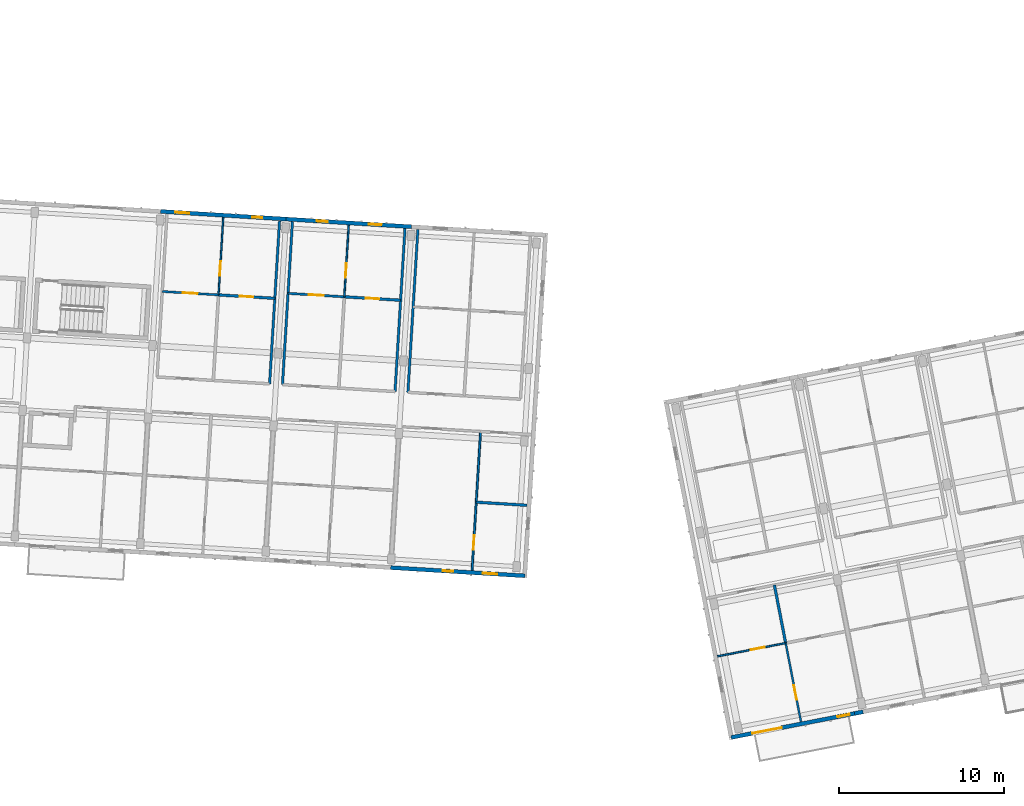
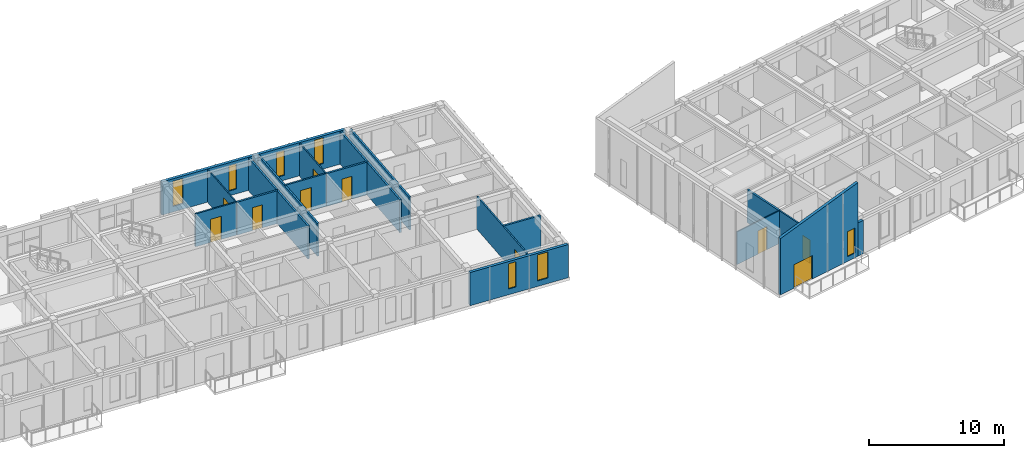
# One storey, part 26 of 65: 20 walls, 10 doors, 7 windows, 17 openings.
"""IFC4 building model written with IfcOpenShell, lengths in metres."""

from ifc_helpers import new_model, si_unit, direction, frame, frame_2d, origin, place, context, subcontext, project, spatial, polyline, rectangle, outline, extrude, material, layer, layer_set, type_object, element, fill, save


model = new_model("IFC4")

# Units and contexts
model_context = context("Model", 3, precision=1e-05, world=origin(), true_north=direction((0.0, 1.0)))
body_context = subcontext(model_context, "Body", "Model", "MODEL_VIEW")
ifc_project = project(units=[si_unit("LENGTHUNIT", "METRE"), si_unit("AREAUNIT", "SQUARE_METRE"), si_unit("VOLUMEUNIT", "CUBIC_METRE"), si_unit("PLANEANGLEUNIT", "RADIAN"), si_unit("MASSUNIT", "GRAM", prefix="KILO")], contexts=[model_context])

# Site, building, storey
site_placement = place(None, origin())
site = spatial("IfcSite", under=ifc_project, at=site_placement, CompositionType="ELEMENT")
building_placement = place(site_placement, origin())
building = spatial("IfcBuilding", under=site, at=building_placement, Name="Kestramere Prow Commons", CompositionType="ELEMENT")
storey_placement = place(building_placement, frame((0.0, 0.0, 21.39990234375)))
storey = spatial("IfcBuildingStorey", under=building, at=storey_placement, Name="L06", CompositionType="ELEMENT", Elevation=21.39990234375)

# Wall, openings, windows
ifc_material_1 = material(Name="Fluoropolymer Standing-Seam Zinc-Aluminium Cladding", Category="aluminium")
ifc_layer_1 = layer(ifc_material_1, 0.239990234375)
ifc_layer_set_1 = layer_set([ifc_layer_1], Name="Fluoropolymer Standing-Seam Zinc-Aluminium Cladding")
wall_type_1 = type_object("IfcWallType", Name="EW-SEAM-240", PredefinedType="SOLIDWALL", material=ifc_layer_set_1)
wall_1_placement = place(storey_placement, frame((105.5068359375, 43.16015625, 0.0), z_axis=(0.0, 0.0, 1.0), x_axis=(-0.998134248939, 0.061057522844, 0.0)))
wall_1 = element("IfcWall", 1, at=wall_1_placement, inside=storey, type_object=wall_type_1, Name="Block C L06 South Standing-Seam Wall 6", PredefinedType="SOLIDWALL", context=body_context, shape_type="SweptSolid", body=[
    extrude(rectangle(XDim=8.125, YDim=0.239990234375, at=frame_2d((4.0625, 0.0))), origin(), (0.0, 0.0, 1.0), 3.0),
])
opening_1_placement = place(wall_1_placement, frame((1.681884765625, 0.0, 0.5)))
opening_1 = element("IfcOpeningElement", 2, at=opening_1_placement, cuts=wall_1, Name="Opening WN-15", PredefinedType="OPENING", context=body_context, shape_type="SweptSolid", body=[
    extrude(rectangle(XDim=0.860107421875, YDim=2.360107421875, at=frame_2d((0.43017578125, 1.18017578125))), frame((0.0, 0.135009765625, 0.0), z_axis=(0.0, -1.0, 0.0), x_axis=(1.0, 0.0, 0.0)), (0.0, 0.0, 1.0), 0.27001953125),
])
opening_2_placement = place(wall_1_placement, frame((4.347412109375, 0.0, 0.52001953125)))
opening_2 = element("IfcOpeningElement", 3, at=opening_2_placement, cuts=wall_1, Name="Opening WN-03", PredefinedType="OPENING", context=body_context, shape_type="SweptSolid", body=[
    extrude(rectangle(XDim=0.6201171875, YDim=2.280029296875, at=frame_2d((0.31005859375, 1.14013671875))), frame((0.0, 0.135009765625, 0.0), z_axis=(0.0, -1.0, 0.0), x_axis=(1.0, 0.0, 0.0)), (0.0, 0.0, 1.0), 0.27001953125),
])
ifc_material_2 = material(Name="Low-E Laminated Double Glazing", Category="glass")
window_type_1 = type_object("IfcWindowType", Name="WN-NAR-620A", PartitioningType="SINGLE_PANEL", PredefinedType="WINDOW", material=ifc_material_2)
window_1_placement = place(opening_2_placement, origin())
window_1 = element("IfcWindow", 4, at=window_1_placement, inside=storey, type_object=window_type_1, Name="WN-C-L06-S-5-10", OverallHeight=2.280029296875, OverallWidth=0.6201171875, PartitioningType="SINGLE_PANEL", PredefinedType="WINDOW", context=body_context, shape_type="SweptSolid", body=[
    extrude(rectangle(XDim=0.6201171875, YDim=2.280029296875, at=frame_2d((0.31005859375, 1.14013671875))), frame((0.0, 0.030029296875, 0.0), z_axis=(0.0, -1.0, 0.0), x_axis=(1.0, 0.0, 0.0)), (0.0, 0.0, 1.0), 0.06005859375),
])
fill(opening_2, window_1)
window_type_2 = type_object("IfcWindowType", Name="WN-NAR-860A", PartitioningType="DOUBLE_PANEL_VERTICAL", PredefinedType="WINDOW", material=ifc_material_2)
window_2_placement = place(opening_1_placement, origin())
window_2 = element("IfcWindow", 5, at=window_2_placement, inside=storey, type_object=window_type_2, Name="WN-C-L06-S-5-00", OverallHeight=2.360107421875, OverallWidth=0.860107421875, PartitioningType="SINGLE_PANEL", PredefinedType="WINDOW", context=body_context, shape_type="SweptSolid", body=[
    extrude(rectangle(XDim=0.860107421875, YDim=2.360107421875, at=frame_2d((0.43017578125, 1.18017578125))), frame((0.0, 0.030029296875, 0.0), z_axis=(0.0, -1.0, 0.0), x_axis=(1.0, 0.0, 0.0)), (0.0, 0.0, 1.0), 0.06005859375),
])
fill(opening_1, window_2)

wall_2_placement = place(storey_placement, frame((83.486083984375, 65.195556640625, 0.0), z_axis=(0.0, 0.0, 1.0), x_axis=(0.998135669243, -0.061034300063, 0.0)))
wall_2 = element("IfcWall", 6, at=wall_2_placement, inside=storey, type_object=wall_type_1, Name="Block C L06 North Standing-Seam Wall 4", PredefinedType="SOLIDWALL", context=body_context, shape_type="SweptSolid", body=[
    extrude(rectangle(XDim=7.60009765625, YDim=0.239990234375, at=frame_2d((3.800048828125, 0.0))), origin(), (0.0, 0.0, 1.0), 3.0),
])
opening_3_placement = place(wall_2_placement, frame((0.8896484375, 0.0, 0.5)))
opening_3 = element("IfcOpeningElement", 7, at=opening_3_placement, cuts=wall_2, Name="Opening WN-14", PredefinedType="OPENING", context=body_context, shape_type="SweptSolid", body=[
    extrude(rectangle(XDim=0.840087890625, YDim=2.280029296875, at=frame_2d((0.419921875, 1.14013671875))), frame((0.0, 0.135009765625, 0.0), z_axis=(0.0, -1.0, 0.0), x_axis=(1.0, 0.0, 0.0)), (0.0, 0.0, 1.0), 0.27001953125),
])
opening_4_placement = place(wall_2_placement, frame((5.5458984375, 0.0, 0.43994140625)))
opening_4 = element("IfcOpeningElement", 8, at=opening_4_placement, cuts=wall_2, Name="Opening WN-03", PredefinedType="OPENING", context=body_context, shape_type="SweptSolid", body=[
    extrude(rectangle(XDim=0.6201171875, YDim=2.280029296875, at=frame_2d((0.31005859375, 1.14013671875))), frame((0.0, 0.135009765625, 0.0), z_axis=(0.0, -1.0, 0.0), x_axis=(1.0, 0.0, 0.0)), (0.0, 0.0, 1.0), 0.27001953125),
])
window_3_placement = place(opening_4_placement, origin())
window_3 = element("IfcWindow", 9, at=window_3_placement, inside=storey, type_object=window_type_1, Name="WN-C-L06-N-3-1", OverallHeight=2.280029296875, OverallWidth=0.6201171875, PartitioningType="SINGLE_PANEL", PredefinedType="WINDOW", context=body_context, shape_type="SweptSolid", body=[
    extrude(rectangle(XDim=0.6201171875, YDim=2.280029296875, at=frame_2d((0.31005859375, 1.14013671875))), frame((0.0, 0.030029296875, 0.0), z_axis=(0.0, -1.0, 0.0), x_axis=(1.0, 0.0, 0.0)), (0.0, 0.0, 1.0), 0.06005859375),
])
fill(opening_4, window_3)
window_type_3 = type_object("IfcWindowType", Name="WN-NAR-840A", PartitioningType="DOUBLE_PANEL_VERTICAL", PredefinedType="WINDOW", material=ifc_material_2)
window_4_placement = place(opening_3_placement, origin())
window_4 = element("IfcWindow", 10, at=window_4_placement, inside=storey, type_object=window_type_3, Name="WN-C-L06-N-3-0", OverallHeight=2.280029296875, OverallWidth=0.840087890625, PartitioningType="SINGLE_PANEL", PredefinedType="WINDOW", context=body_context, shape_type="SweptSolid", body=[
    extrude(rectangle(XDim=0.840087890625, YDim=2.280029296875, at=frame_2d((0.419921875, 1.14013671875))), frame((0.0, 0.030029296875, 0.0), z_axis=(0.0, -1.0, 0.0), x_axis=(1.0, 0.0, 0.0)), (0.0, 0.0, 1.0), 0.06005859375),
])
fill(opening_3, window_4)

wall_3_placement = place(storey_placement, frame((91.072021484375, 64.731689453125, 0.0), z_axis=(0.0, 0.0, 1.0), x_axis=(0.998133591969, -0.061068261669, 0.0)))
wall_3 = element("IfcWall", 11, at=wall_3_placement, inside=storey, type_object=wall_type_1, Name="Block C L06 North Standing-Seam Wall 5", PredefinedType="SOLIDWALL", context=body_context, shape_type="SweptSolid", body=[
    extrude(rectangle(XDim=7.599853515625, YDim=0.239990234375, at=frame_2d((3.7998046875, 0.0))), origin(), (0.0, 0.0, 1.0), 3.0),
])
opening_5_placement = place(wall_3_placement, frame((1.854248046875, 0.0, 0.43994140625)))
opening_5 = element("IfcOpeningElement", 12, at=opening_5_placement, cuts=wall_3, Name="Opening WN-06", PredefinedType="OPENING", context=body_context, shape_type="SweptSolid", body=[
    extrude(rectangle(XDim=0.679931640625, YDim=2.239990234375, at=frame_2d((0.33984375, 1.1201171875))), frame((0.0, 0.135009765625, 0.0), z_axis=(0.0, -1.0, 0.0), x_axis=(1.0, 0.0, 0.0)), (0.0, 0.0, 1.0), 0.27001953125),
])
opening_6_placement = place(wall_3_placement, frame((5.017578125, 0.0, 0.5)))
opening_6 = element("IfcOpeningElement", 13, at=opening_6_placement, cuts=wall_3, Name="Opening WN-10", PredefinedType="OPENING", context=body_context, shape_type="SweptSolid", body=[
    extrude(rectangle(XDim=0.760009765625, YDim=2.340087890625, at=frame_2d((0.3798828125, 1.169921875))), frame((0.0, 0.135009765625, 0.0), z_axis=(0.0, -1.0, 0.0), x_axis=(1.0, 0.0, 0.0)), (0.0, 0.0, 1.0), 0.27001953125),
])
window_type_4 = type_object("IfcWindowType", Name="WN-NAR-680A", PartitioningType="SINGLE_PANEL", PredefinedType="WINDOW", material=ifc_material_2)
window_5_placement = place(opening_5_placement, origin())
window_5 = element("IfcWindow", 14, at=window_5_placement, inside=storey, type_object=window_type_4, Name="WN-C-L06-N-4-0", OverallHeight=2.239990234375, OverallWidth=0.679931640625, PartitioningType="SINGLE_PANEL", PredefinedType="WINDOW", context=body_context, shape_type="SweptSolid", body=[
    extrude(rectangle(XDim=0.679931640625, YDim=2.239990234375, at=frame_2d((0.33984375, 1.1201171875))), frame((0.0, 0.030029296875, 0.0), z_axis=(0.0, -1.0, 0.0), x_axis=(1.0, 0.0, 0.0)), (0.0, 0.0, 1.0), 0.06005859375),
])
fill(opening_5, window_5)
window_type_5 = type_object("IfcWindowType", Name="WN-NAR-760A", PartitioningType="SINGLE_PANEL", PredefinedType="WINDOW", material=ifc_material_2)
window_6_placement = place(opening_6_placement, origin())
window_6 = element("IfcWindow", 15, at=window_6_placement, inside=storey, type_object=window_type_5, Name="WN-C-L06-N-4-1", OverallHeight=2.340087890625, OverallWidth=0.760009765625, PartitioningType="SINGLE_PANEL", PredefinedType="WINDOW", context=body_context, shape_type="SweptSolid", body=[
    extrude(rectangle(XDim=0.760009765625, YDim=2.340087890625, at=frame_2d((0.3798828125, 1.169921875))), frame((0.0, 0.030029296875, 0.0), z_axis=(0.0, -1.0, 0.0), x_axis=(1.0, 0.0, 0.0)), (0.0, 0.0, 1.0), 0.06005859375),
])
fill(opening_6, window_6)

# Wall
wall_4_placement = place(storey_placement, frame((125.96044921875, 34.934814453125, 0.0), z_axis=(0.0, 0.0, 1.0), x_axis=(-0.981656509867, -0.190658062077, 0.0)))
element("IfcWall", 16, at=wall_4_placement, inside=storey, type_object=wall_type_1, Name="Block D L06 South Step-Back Spandrel Wall 1", PredefinedType="SOLIDWALL", context=body_context, shape_type="SweptSolid", body=[
    extrude(rectangle(XDim=0.52490234375, YDim=0.239990234375, at=frame_2d((0.262451171875, 0.0))), origin(), (0.0, 0.0, 1.0), 3.0),
])

# Wall, openings, door, window
wall_5_placement = place(storey_placement, frame((125.445068359375, 34.834716796875, 0.0), z_axis=(0.0, 0.0, 1.0), x_axis=(-0.981625252578, -0.19081892857, 0.0)))
wall_5 = element("IfcWall", 17, at=wall_5_placement, inside=storey, type_object=wall_type_1, Name="Block D L06 South Standing-Seam Wall 1", PredefinedType="SOLIDWALL", context=body_context, shape_type="SweptSolid", body=[
    extrude(outline(polyline([(0.0, 0.0), (7.599853515625, 0.0), (7.60009765625, 5.086181640625), (0.0, 6.6591796875), (0.0, 0.0)])), frame((0.0, 0.1201171875, 0.0), z_axis=(0.0, -1.0, 0.0), x_axis=(1.0, 0.0, 0.0)), (0.0, 0.0, 1.0), 0.239990234375),
])
opening_7_placement = place(wall_5_placement, frame((4.493896484375, 0.0, 0.0)))
opening_7 = element("IfcOpeningElement", 18, at=opening_7_placement, cuts=wall_5, Name="Opening GD-BAL-02", PredefinedType="OPENING", context=body_context, shape_type="SweptSolid", body=[
    extrude(rectangle(XDim=1.800048828125, YDim=2.1201171875, at=frame_2d((0.89990234375, 1.06005859375))), frame((0.0, 0.135009765625, 0.0), z_axis=(0.0, -1.0, 0.0), x_axis=(1.0, 0.0, 0.0)), (0.0, 0.0, 1.0), 0.27001953125),
])
opening_8_placement = place(wall_5_placement, frame((0.304931640625, 0.0, 0.419921875)))
opening_8 = element("IfcOpeningElement", 19, at=opening_8_placement, cuts=wall_5, Name="Opening WN-09", PredefinedType="OPENING", context=body_context, shape_type="SweptSolid", body=[
    extrude(rectangle(XDim=0.739990234375, YDim=2.260009765625, at=frame_2d((0.3701171875, 1.1298828125))), frame((0.0, 0.135009765625, 0.0), z_axis=(0.0, -1.0, 0.0), x_axis=(1.0, 0.0, 0.0)), (0.0, 0.0, 1.0), 0.27001953125),
])
ifc_material_3 = material(Name="Thermally-Broken Anodised Aluminium Glazed", Category="aluminium")
door_type_1 = type_object("IfcDoorType", Name="GD-BAL-1800", OperationType="SLIDING_TO_LEFT", PredefinedType="DOOR", material=ifc_material_3)
door_1_placement = place(opening_7_placement, origin())
door_1 = element("IfcDoor", 20, at=door_1_placement, inside=storey, type_object=door_type_1, Name="Block D L06 Balcony Door 1", OperationType="SLIDING_TO_LEFT", OverallHeight=2.1201171875, OverallWidth=1.800048828125, PredefinedType="DOOR", context=body_context, shape_type="SweptSolid", body=[
    extrude(rectangle(XDim=1.800048828125, YDim=2.1201171875, at=frame_2d((0.89990234375, 1.06005859375))), frame((0.0, 0.02490234375, 0.0), z_axis=(0.0, -1.0, 0.0), x_axis=(1.0, 0.0, 0.0)), (0.0, 0.0, 1.0), 0.050048828125),
])
fill(opening_7, door_1)
window_type_6 = type_object("IfcWindowType", Name="WN-NAR-740A", PartitioningType="SINGLE_PANEL", PredefinedType="WINDOW", material=ifc_material_2)
window_7_placement = place(opening_8_placement, origin())
window_7 = element("IfcWindow", 21, at=window_7_placement, inside=storey, type_object=window_type_6, Name="WN-D-L06-SR-0", OverallHeight=2.260009765625, OverallWidth=0.739990234375, PartitioningType="SINGLE_PANEL", PredefinedType="WINDOW", context=body_context, shape_type="SweptSolid", body=[
    extrude(rectangle(XDim=0.739990234375, YDim=2.260009765625, at=frame_2d((0.3701171875, 1.1298828125))), frame((0.0, 0.030029296875, 0.0), z_axis=(0.0, -1.0, 0.0), x_axis=(1.0, 0.0, 0.0)), (0.0, 0.0, 1.0), 0.06005859375),
])
fill(opening_8, window_7)

# Wall, opening, door
ifc_material_4 = material(Name="Gypsum Acoustic Drywall")
ifc_layer_2 = layer(ifc_material_4, 0.10009765625)
ifc_layer_set_2 = layer_set([ifc_layer_2], Name="Gypsum Acoustic Drywall")
wall_type_2 = type_object("IfcWallType", Name="W-PART-100", PredefinedType="PARTITIONING", material=ifc_layer_set_2)
wall_6_placement = place(storey_placement, frame((94.591552734375, 60.032958984375, 0.0), z_axis=(0.0, 0.0, 1.0), x_axis=(0.061092906669, 0.998132083822, 0.0)))
wall_6 = element("IfcWall", 22, at=wall_6_placement, inside=storey, type_object=wall_type_2, Name="Interior Partition PW-C-L06-LB-N4", PredefinedType="PARTITIONING", context=body_context, shape_type="SweptSolid", body=[
    extrude(rectangle(XDim=4.33984375, YDim=0.10009765625, at=frame_2d((2.169921875, 0.0))), origin(), (0.0, 0.0, 1.0), 2.97021484375),
])
opening_9_placement = place(wall_6_placement, frame((1.14990234375, 0.0, 0.0)))
opening_9 = element("IfcOpeningElement", 23, at=opening_9_placement, cuts=wall_6, Name="Opening ID-10", PredefinedType="OPENING", context=body_context, shape_type="SweptSolid", body=[
    extrude(rectangle(XDim=0.8798828125, YDim=2.10009765625, at=frame_2d((0.43994140625, 1.050048828125))), frame((0.0, 0.06494140625, 0.0), z_axis=(0.0, -1.0, 0.0), x_axis=(1.0, 0.0, 0.0)), (0.0, 0.0, 1.0), 0.130126953125),
])
ifc_material_5 = material(Name="Engineered Timber Bedroom Door", Category="wood")
door_type_2 = type_object("IfcDoorType", Name="D-RM-03", OperationType="NOTDEFINED", PredefinedType="DOOR", material=ifc_material_5)
door_2_placement = place(opening_9_placement, origin())
door_2 = element("IfcDoor", 24, at=door_2_placement, inside=storey, type_object=door_type_2, Name="Interior Door DR-C-L06-BED-N4", OperationType="SINGLE_SWING_LEFT", OverallHeight=2.10009765625, OverallWidth=0.8798828125, PredefinedType="DOOR", context=body_context, shape_type="SweptSolid", body=[
    extrude(rectangle(XDim=0.8798828125, YDim=2.10009765625, at=frame_2d((0.43994140625, 1.050048828125))), frame((0.0, 0.02490234375, 0.0), z_axis=(0.0, -1.0, 0.0), x_axis=(1.0, 0.0, 0.0)), (0.0, 0.0, 1.0), 0.050048828125),
])
fill(opening_9, door_2)

wall_7_placement = place(storey_placement, frame((117.1630859375, 38.29296875, 0.0), z_axis=(0.0, 0.0, 1.0), x_axis=(0.981633861466, 0.19077463674, 0.0)))
wall_7 = element("IfcWall", 25, at=wall_7_placement, inside=storey, type_object=wall_type_2, Name="Interior Partition PW-D-L06-MIDS1-0", PredefinedType="PARTITIONING", context=body_context, shape_type="SweptSolid", body=[
    extrude(rectangle(XDim=4.195068359375, YDim=0.10009765625, at=frame_2d((2.09765625, 0.0))), origin(), (0.0, 0.0, 1.0), 2.97021484375),
])
opening_10_placement = place(wall_7_placement, frame((2.034912109375, 0.0, 0.0)))
opening_10 = element("IfcOpeningElement", 26, at=opening_10_placement, cuts=wall_7, Name="Opening ID-10", PredefinedType="OPENING", context=body_context, shape_type="SweptSolid", body=[
    extrude(rectangle(XDim=0.8798828125, YDim=2.10009765625, at=frame_2d((0.43994140625, 1.050048828125))), frame((0.0, 0.06494140625, 0.0), z_axis=(0.0, -1.0, 0.0), x_axis=(1.0, 0.0, 0.0)), (0.0, 0.0, 1.0), 0.130126953125),
])
door_3_placement = place(opening_10_placement, origin())
door_3 = element("IfcDoor", 27, at=door_3_placement, inside=storey, type_object=door_type_2, Name="Interior Door DR-D-L06-KL-S0", OperationType="SINGLE_SWING_RIGHT", OverallHeight=2.10009765625, OverallWidth=0.8798828125, PredefinedType="DOOR", context=body_context, shape_type="SweptSolid", body=[
    extrude(rectangle(XDim=0.8798828125, YDim=2.10009765625, at=frame_2d((0.43994140625, 1.050048828125))), frame((0.0, 0.02490234375, 0.0), z_axis=(0.0, -1.0, 0.0), x_axis=(1.0, 0.0, 0.0)), (0.0, 0.0, 1.0), 0.050048828125),
])
fill(opening_10, door_3)

ifc_material_6 = material(Name="Lightweight Blockwork and Plaster", Category="masonry")
ifc_layer_3 = layer(ifc_material_6, 0.1201171875)
ifc_layer_set_3 = layer_set([ifc_layer_3], Name="Lightweight Blockwork and Plaster")
wall_type_3 = type_object("IfcWallType", Name="W-PART-120", PredefinedType="PARTITIONING", material=ifc_layer_set_3)
wall_8_placement = place(storey_placement, frame((102.316162109375, 43.490478515625, 0.0), z_axis=(0.0, 0.0, 1.0), x_axis=(0.061049859271, 0.998134717702, 0.0)))
wall_8 = element("IfcWall", 28, at=wall_8_placement, inside=storey, type_object=wall_type_3, Name="Interior Partition PW-C-L06-SKDV-5", PredefinedType="PARTITIONING", context=body_context, shape_type="SweptSolid", body=[
    extrude(rectangle(XDim=8.409912109375, YDim=0.1201171875, at=frame_2d((4.205078125, 0.0))), origin(), (0.0, 0.0, 1.0), 2.97021484375),
])
opening_11_placement = place(wall_8_placement, frame((1.25, 0.0, 0.0)))
opening_11 = element("IfcOpeningElement", 29, at=opening_11_placement, cuts=wall_8, Name="Opening ID-10", PredefinedType="OPENING", context=body_context, shape_type="SweptSolid", body=[
    extrude(rectangle(XDim=0.8798828125, YDim=2.10009765625, at=frame_2d((0.43994140625, 1.050048828125))), frame((0.0, 0.074951171875, 0.0), z_axis=(0.0, -1.0, 0.0), x_axis=(1.0, 0.0, 0.0)), (0.0, 0.0, 1.0), 0.150146484375),
])
door_4_placement = place(opening_11_placement, origin())
door_4 = element("IfcDoor", 30, at=door_4_placement, inside=storey, type_object=door_type_2, Name="Interior Door DR-C-L06-SKAL-5", OperationType="SINGLE_SWING_LEFT", OverallHeight=2.10009765625, OverallWidth=0.8798828125, PredefinedType="DOOR", context=body_context, shape_type="SweptSolid", body=[
    extrude(rectangle(XDim=0.8798828125, YDim=2.10009765625, at=frame_2d((0.43994140625, 1.050048828125))), frame((0.0, 0.02490234375, 0.0), z_axis=(0.0, -1.0, 0.0), x_axis=(1.0, 0.0, 0.0)), (0.0, 0.0, 1.0), 0.050048828125),
])
fill(opening_11, door_4)

wall_9_placement = place(storey_placement, frame((122.20458984375, 34.34228515625, 0.0), z_axis=(0.0, 0.0, 1.0), x_axis=(-0.190826454074, 0.98162378966, 0.0)))
wall_9 = element("IfcWall", 31, at=wall_9_placement, inside=storey, type_object=wall_type_3, Name="Interior Partition PW-D-L06-LB-S0", PredefinedType="PARTITIONING", context=body_context, shape_type="SweptSolid", body=[
    extrude(rectangle(XDim=4.83984375, YDim=0.1201171875, at=frame_2d((2.419921875, 0.0))), origin(), (0.0, 0.0, 1.0), 2.97021484375),
])
opening_12_placement = place(wall_9_placement, frame((1.35009765625, 0.0, 0.0)))
opening_12 = element("IfcOpeningElement", 32, at=opening_12_placement, cuts=wall_9, Name="Opening ID-08", PredefinedType="OPENING", context=body_context, shape_type="SweptSolid", body=[
    extrude(rectangle(XDim=0.89990234375, YDim=2.10009765625, at=frame_2d((0.449951171875, 1.050048828125))), frame((0.0, 0.074951171875, 0.0), z_axis=(0.0, -1.0, 0.0), x_axis=(1.0, 0.0, 0.0)), (0.0, 0.0, 1.0), 0.150146484375),
])
ifc_material_7 = material(Name="Engineered Timber Flush Door", Category="wood")
door_type_3 = type_object("IfcDoorType", Name="D-RM-01", OperationType="NOTDEFINED", PredefinedType="DOOR", material=ifc_material_7)
door_5_placement = place(opening_12_placement, origin())
door_5 = element("IfcDoor", 33, at=door_5_placement, inside=storey, type_object=door_type_3, Name="Interior Door DR-D-L06-BED-S0", OperationType="SINGLE_SWING_LEFT", OverallHeight=2.10009765625, OverallWidth=0.89990234375, PredefinedType="DOOR", context=body_context, shape_type="SweptSolid", body=[
    extrude(rectangle(XDim=0.89990234375, YDim=2.10009765625, at=frame_2d((0.449951171875, 1.050048828125))), frame((0.0, 0.02490234375, 0.0), z_axis=(0.0, -1.0, 0.0), x_axis=(1.0, 0.0, 0.0)), (0.0, 0.0, 1.0), 0.050048828125),
])
fill(opening_12, door_5)

ifc_layer_4 = layer(ifc_material_6, 0.1298828125)
ifc_layer_set_4 = layer_set([ifc_layer_4], Name="Lightweight Blockwork and Plaster")
wall_type_4 = type_object("IfcWallType", Name="W-PART-130", PredefinedType="PARTITIONING", material=ifc_layer_set_4)
wall_10_placement = place(storey_placement, frame((83.580810546875, 60.355712890625, 0.0), z_axis=(0.0, 0.0, 1.0), x_axis=(0.998133350094, -0.061072214879, 0.0)))
wall_10 = element("IfcWall", 34, at=wall_10_placement, inside=storey, type_object=wall_type_4, Name="Interior Partition PW-C-L06-MIDN1-3", PredefinedType="PARTITIONING", context=body_context, shape_type="SweptSolid", body=[
    extrude(rectangle(XDim=3.409912109375, YDim=0.1298828125, at=frame_2d((1.705078125, 0.0))), origin(), (0.0, 0.0, 1.0), 2.97021484375),
])
opening_13_placement = place(wall_10_placement, frame((1.2548828125, 0.0, 0.0)))
opening_13 = element("IfcOpeningElement", 35, at=opening_13_placement, cuts=wall_10, Name="Opening ID-10", PredefinedType="OPENING", context=body_context, shape_type="SweptSolid", body=[
    extrude(rectangle(XDim=0.8798828125, YDim=2.10009765625, at=frame_2d((0.43994140625, 1.050048828125))), frame((0.0, 0.079833984375, 0.0), z_axis=(0.0, -1.0, 0.0), x_axis=(1.0, 0.0, 0.0)), (0.0, 0.0, 1.0), 0.159912109375),
])
door_6_placement = place(opening_13_placement, origin())
door_6 = element("IfcDoor", 36, at=door_6_placement, inside=storey, type_object=door_type_2, Name="Interior Door DR-C-L06-KL-N3", OperationType="SINGLE_SWING_LEFT", OverallHeight=2.10009765625, OverallWidth=0.8798828125, PredefinedType="DOOR", context=body_context, shape_type="SweptSolid", body=[
    extrude(rectangle(XDim=0.8798828125, YDim=2.10009765625, at=frame_2d((0.43994140625, 1.050048828125))), frame((0.0, 0.02490234375, 0.0), z_axis=(0.0, -1.0, 0.0), x_axis=(1.0, 0.0, 0.0)), (0.0, 0.0, 1.0), 0.050048828125),
])
fill(opening_13, door_6)

ifc_material_8 = material(Name="Masonry Compartment Wall", Category="masonry")
ifc_layer_5 = layer(ifc_material_8, 0.139892578125)
ifc_layer_set_5 = layer_set([ifc_layer_5], Name="Masonry Compartment Wall")
wall_type_5 = type_object("IfcWallType", Name="W-PART-140", PredefinedType="PARTITIONING", material=ifc_layer_set_5)
wall_11_placement = place(storey_placement, frame((91.18798828125, 60.2412109375, 0.0), z_axis=(0.0, 0.0, 1.0), x_axis=(0.998133350094, -0.061072214879, 0.0)))
wall_11 = element("IfcWall", 37, at=wall_11_placement, inside=storey, type_object=wall_type_5, Name="Interior Partition PW-C-L06-MIDN1-4", PredefinedType="PARTITIONING", context=body_context, shape_type="SweptSolid", body=[
    extrude(rectangle(XDim=3.409912109375, YDim=0.139892578125, at=frame_2d((1.705078125, 0.0))), origin(), (0.0, 0.0, 1.0), 2.97021484375),
])
opening_14_placement = place(wall_11_placement, frame((1.2548828125, 0.0, 0.0)))
opening_14 = element("IfcOpeningElement", 38, at=opening_14_placement, cuts=wall_11, Name="Opening ID-08", PredefinedType="OPENING", context=body_context, shape_type="SweptSolid", body=[
    extrude(rectangle(XDim=0.89990234375, YDim=2.10009765625, at=frame_2d((0.449951171875, 1.050048828125))), frame((0.0, 0.0849609375, 0.0), z_axis=(0.0, -1.0, 0.0), x_axis=(1.0, 0.0, 0.0)), (0.0, 0.0, 1.0), 0.169921875),
])
door_7_placement = place(opening_14_placement, origin())
door_7 = element("IfcDoor", 39, at=door_7_placement, inside=storey, type_object=door_type_3, Name="Interior Door DR-C-L06-KL-N4", OperationType="SINGLE_SWING_LEFT", OverallHeight=2.10009765625, OverallWidth=0.89990234375, PredefinedType="DOOR", context=body_context, shape_type="SweptSolid", body=[
    extrude(rectangle(XDim=0.89990234375, YDim=2.10009765625, at=frame_2d((0.449951171875, 1.050048828125))), frame((0.0, 0.02490234375, 0.0), z_axis=(0.0, -1.0, 0.0), x_axis=(1.0, 0.0, 0.0)), (0.0, 0.0, 1.0), 0.050048828125),
])
fill(opening_14, door_7)

# Walls
ifc_layer_6 = layer(ifc_material_8, 0.14990234375)
ifc_layer_set_6 = layer_set([ifc_layer_6], Name="Masonry Compartment Wall")
wall_type_6 = type_object("IfcWallType", Name="W-PART-150", PredefinedType="PARTITIONING", material=ifc_layer_set_6)
for number, where, z_axis, x_axis, name in (
    (40, (90.07177734375, 54.76904296875, 0.0), (0.0, 0.0, 1.0), (0.061047700465, 0.998134849741, 0.0), "Interior Partition PW-C-L06-NWR-3"),
    (41, (90.850341796875, 54.721435546875, 0.0), (0.0, 0.0, 1.0), (0.061047700465, 0.998134849741, 0.0), "Interior Partition PW-C-L06-NWL-4"),
    (42, (97.65771484375, 54.30517578125, 0.0), (0.0, 0.0, 1.0), (0.061047700465, 0.998134849741, 0.0), "Interior Partition PW-C-L06-NWR-4"),
    (43, (98.436279296875, 54.257568359375, 0.0), (0.0, 0.0, 1.0), (0.061047700465, 0.998134849741, 0.0), "Interior Partition PW-C-L06-NWL-5"),
):
    element("IfcWall", number, at=place(storey_placement, frame(where, z_axis=z_axis, x_axis=x_axis)), inside=storey, type_object=wall_type_6, Name=name, PredefinedType="PARTITIONING", context=body_context, shape_type="SweptSolid", body=[
        extrude(rectangle(XDim=9.869873046875, YDim=0.14990234375, at=frame_2d((4.93505859375, 0.0))), origin(), (0.0, 0.0, 1.0), 2.97021484375),
    ])

# Wall, opening, door
ifc_layer_7 = layer(ifc_material_4, 0.094970703125)
ifc_layer_set_7 = layer_set([ifc_layer_7], Name="Gypsum Acoustic Drywall")
wall_type_7 = type_object("IfcWallType", Name="W-PART-95", PredefinedType="PARTITIONING", material=ifc_layer_set_7)
wall_12_placement = place(storey_placement, frame((86.984375, 60.1474609375, 0.0), z_axis=(0.0, 0.0, 1.0), x_axis=(0.061059262019, 0.998134142549, 0.0)))
wall_12 = element("IfcWall", 44, at=wall_12_placement, inside=storey, type_object=wall_type_7, Name="Interior Partition PW-C-L06-LB-N3", PredefinedType="PARTITIONING", context=body_context, shape_type="SweptSolid", body=[
    extrude(rectangle(XDim=4.690185546875, YDim=0.094970703125, at=frame_2d((2.34521484375, 0.0))), origin(), (0.0, 0.0, 1.0), 2.97021484375),
])
opening_15_placement = place(wall_12_placement, frame((1.14990234375, 0.0, 0.0)))
opening_15 = element("IfcOpeningElement", 45, at=opening_15_placement, cuts=wall_12, Name="Opening ID-08", PredefinedType="OPENING", context=body_context, shape_type="SweptSolid", body=[
    extrude(rectangle(XDim=0.89990234375, YDim=2.10009765625, at=frame_2d((0.449951171875, 1.050048828125))), frame((0.0, 0.0625, 0.0), z_axis=(0.0, -1.0, 0.0), x_axis=(1.0, 0.0, 0.0)), (0.0, 0.0, 1.0), 0.125),
])
door_8_placement = place(opening_15_placement, origin())
door_8 = element("IfcDoor", 46, at=door_8_placement, inside=storey, type_object=door_type_3, Name="Interior Door DR-C-L06-BED-N3", OperationType="SINGLE_SWING_LEFT", OverallHeight=2.10009765625, OverallWidth=0.89990234375, PredefinedType="DOOR", context=body_context, shape_type="SweptSolid", body=[
    extrude(rectangle(XDim=0.89990234375, YDim=2.10009765625, at=frame_2d((0.449951171875, 1.050048828125))), frame((0.0, 0.02490234375, 0.0), z_axis=(0.0, -1.0, 0.0), x_axis=(1.0, 0.0, 0.0)), (0.0, 0.0, 1.0), 0.050048828125),
])
fill(opening_15, door_8)

# Wall
ifc_material_9 = material(Name="Waterproof Sanitary Masonry Wall", Category="masonry")
ifc_layer_8 = layer(ifc_material_9, 0.1650390625)
ifc_layer_set_8 = layer_set([ifc_layer_8], Name="Waterproof Sanitary Masonry Wall")
wall_type_8 = type_object("IfcWallType", Name="W-PLUMB-150", PredefinedType="PLUMBINGWALL", material=ifc_layer_set_8)
wall_13_placement = place(storey_placement, frame((102.568359375, 47.61279296875, 0.0), z_axis=(0.0, 0.0, 1.0), x_axis=(0.99813419504, -0.061058403944, 0.0)))
element("IfcWall", 47, at=wall_13_placement, inside=storey, type_object=wall_type_8, Name="Interior Partition PW-C-L06-SKHZ-5", PredefinedType="PLUMBINGWALL", context=body_context, shape_type="SweptSolid", body=[
    extrude(rectangle(XDim=3.07470703125, YDim=0.1650390625, at=frame_2d((1.537353515625, 0.0))), origin(), (0.0, 0.0, 1.0), 2.97021484375),
])

# Wall, opening, door
wall_14_placement = place(storey_placement, frame((86.984375, 60.1474609375, 0.0), z_axis=(0.0, 0.0, 1.0), x_axis=(0.99813797838, -0.060996525433, 0.0)))
wall_14 = element("IfcWall", 48, at=wall_14_placement, inside=storey, type_object=wall_type_8, Name="Interior Partition PW-C-L06-MIDN2-3", PredefinedType="PLUMBINGWALL", context=body_context, shape_type="SweptSolid", body=[
    extrude(rectangle(XDim=3.41015625, YDim=0.1650390625, at=frame_2d((1.705078125, 0.0))), origin(), (0.0, 0.0, 1.0), 2.97021484375),
])
opening_16_placement = place(wall_14_placement, frame((1.294921875, 0.0, 0.0)))
opening_16 = element("IfcOpeningElement", 49, at=opening_16_placement, cuts=wall_14, Name="Opening ID-11", PredefinedType="OPENING", context=body_context, shape_type="SweptSolid", body=[
    extrude(rectangle(XDim=0.820068359375, YDim=2.080078125, at=frame_2d((0.41015625, 1.0400390625))), frame((0.0, 0.097412109375, 0.0), z_axis=(0.0, -1.0, 0.0), x_axis=(1.0, 0.0, 0.0)), (0.0, 0.0, 1.0), 0.195068359375),
])
ifc_material_10 = material(Name="Moisture-Resistant Timber Bathroom Door", Category="wood")
door_type_4 = type_object("IfcDoorType", Name="D-BT-01", OperationType="NOTDEFINED", PredefinedType="DOOR", material=ifc_material_10)
door_9_placement = place(opening_16_placement, origin())
door_9 = element("IfcDoor", 50, at=door_9_placement, inside=storey, type_object=door_type_4, Name="Interior Door DR-C-L06-BTH-N3", OperationType="SINGLE_SWING_RIGHT", OverallHeight=2.080078125, OverallWidth=0.820068359375, PredefinedType="DOOR", context=body_context, shape_type="SweptSolid", body=[
    extrude(rectangle(XDim=0.820068359375, YDim=2.080078125, at=frame_2d((0.41015625, 1.0400390625))), frame((0.0, 0.02490234375, 0.0), z_axis=(0.0, -1.0, 0.0), x_axis=(1.0, 0.0, 0.0)), (0.0, 0.0, 1.0), 0.050048828125),
])
fill(opening_16, door_9)

wall_15_placement = place(storey_placement, frame((94.591552734375, 60.032958984375, 0.0), z_axis=(0.0, 0.0, 1.0), x_axis=(0.998133617109, -0.061067850767, 0.0)))
wall_15 = element("IfcWall", 51, at=wall_15_placement, inside=storey, type_object=wall_type_8, Name="Interior Partition PW-C-L06-MIDN2-4", PredefinedType="PLUMBINGWALL", context=body_context, shape_type="SweptSolid", body=[
    extrude(rectangle(XDim=3.41015625, YDim=0.1650390625, at=frame_2d((1.705078125, 0.0))), origin(), (0.0, 0.0, 1.0), 2.97021484375),
])
opening_17_placement = place(wall_15_placement, frame((1.294921875, 0.0, 0.0)))
opening_17 = element("IfcOpeningElement", 52, at=opening_17_placement, cuts=wall_15, Name="Opening ID-11", PredefinedType="OPENING", context=body_context, shape_type="SweptSolid", body=[
    extrude(rectangle(XDim=0.820068359375, YDim=2.080078125, at=frame_2d((0.41015625, 1.0400390625))), frame((0.0, 0.097412109375, 0.0), z_axis=(0.0, -1.0, 0.0), x_axis=(1.0, 0.0, 0.0)), (0.0, 0.0, 1.0), 0.195068359375),
])
door_10_placement = place(opening_17_placement, origin())
door_10 = element("IfcDoor", 53, at=door_10_placement, inside=storey, type_object=door_type_4, Name="Interior Door DR-C-L06-BTH-N4", OperationType="SINGLE_SWING_RIGHT", OverallHeight=2.080078125, OverallWidth=0.820068359375, PredefinedType="DOOR", context=body_context, shape_type="SweptSolid", body=[
    extrude(rectangle(XDim=0.820068359375, YDim=2.080078125, at=frame_2d((0.41015625, 1.0400390625))), frame((0.0, 0.02490234375, 0.0), z_axis=(0.0, -1.0, 0.0), x_axis=(1.0, 0.0, 0.0)), (0.0, 0.0, 1.0), 0.050048828125),
])
fill(opening_17, door_10)

# Wall
wall_16_placement = place(storey_placement, frame((121.281005859375, 39.09326171875, 0.0), z_axis=(0.0, 0.0, 1.0), x_axis=(-0.190800102044, 0.981628912095, 0.0)))
element("IfcWall", 54, at=wall_16_placement, inside=storey, type_object=wall_type_8, Name="Interior Partition PW-D-L06-KB-S0", PredefinedType="PLUMBINGWALL", context=body_context, shape_type="SweptSolid", body=[
    extrude(rectangle(XDim=3.570068359375, YDim=0.1650390625, at=frame_2d((1.78515625, 0.0))), origin(), (0.0, 0.0, 1.0), 2.97021484375),
])

save(model, "model.ifc")
